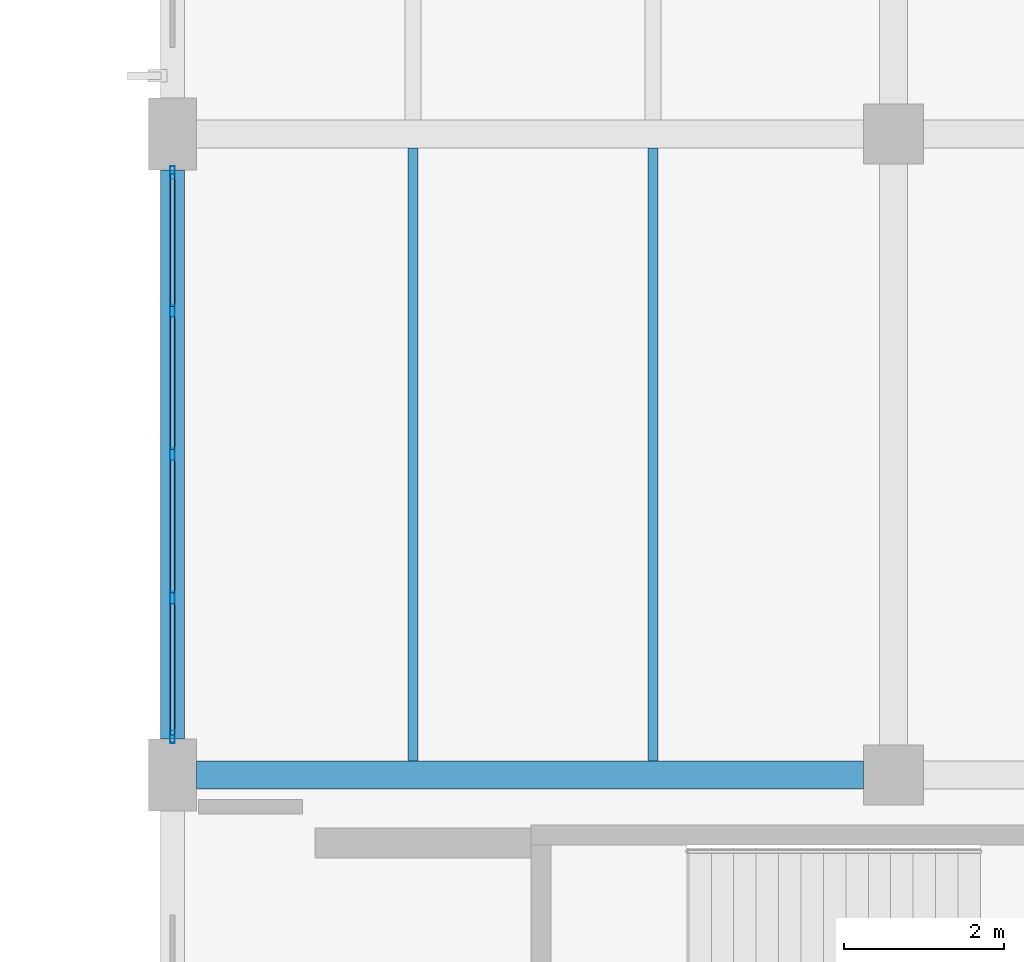
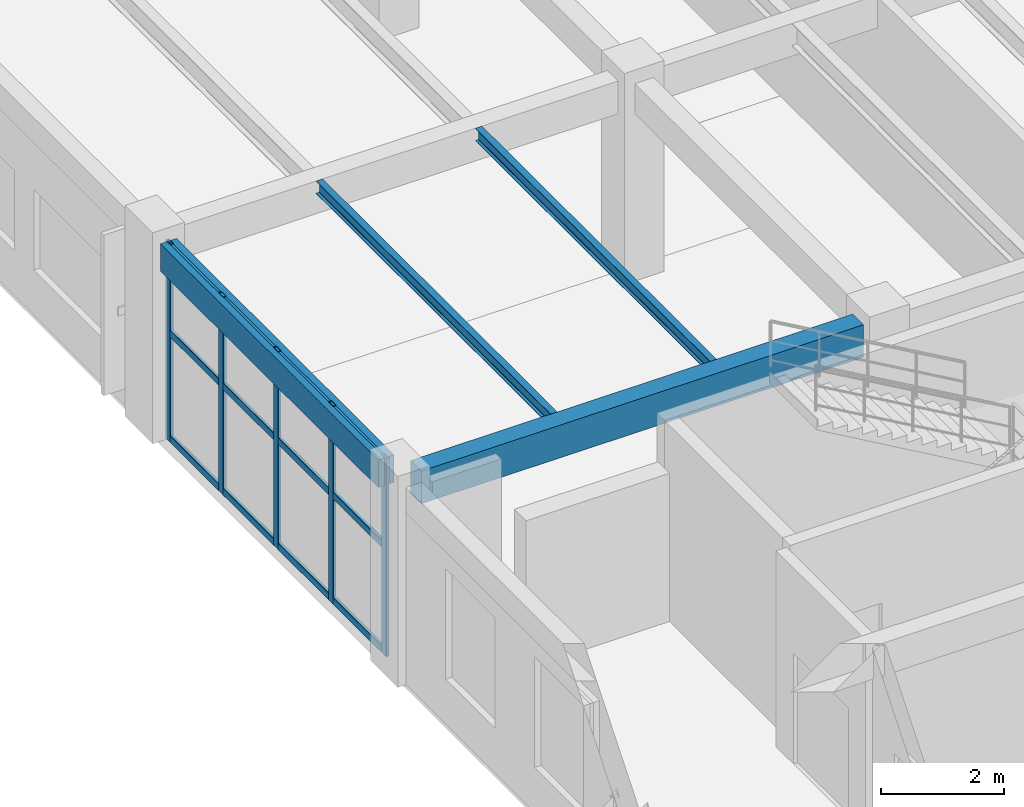
# One storey, part 83 of 128: 17 members, 4 beams, 1 element without a shape of its own.
"""IFC4 building model written with IfcOpenShell, lengths in metres."""

import ifcopenshell
import ifcopenshell.guid

model = None  # the IFC model being written
_history = None  # IfcOwnerHistory: only IFC2X3 demands one
_inside = {}  # id of a spatial element -> (the spatial element, [elements in it])
_under = {}  # id of a project, library or spatial element -> (it, [spatial elements below it])
_declared = {}  # id of a project -> (the project, [libraries it declares])
_typed = {}  # id of a type object -> (the type object, [elements of that type])
_made_of = {}  # id of a material, layer set ... -> (it, [elements and type objects made of it])


def new_model(schema):
    """Start an empty IFC model of exactly this schema.

    Asked for "IFC4X3", IfcOpenShell would pick the latest addendum, in which some entities
    have other attributes; the version numbers below select the first issue.
    IFC2X3 requires an IfcOwnerHistory on every rooted entity: one is made here for all.
    """
    global model, _history
    if schema == "IFC4X3":
        model = ifcopenshell.file(schema_version=(4, 3, 0, 0))
    else:
        model = ifcopenshell.file(schema=schema)
    _inside.clear()
    _under.clear()
    _declared.clear()
    _typed.clear()
    _made_of.clear()
    _history = None
    if model.schema == "IFC2X3":
        org = make("IfcOrganization", Name="unknown")
        user = make(
            "IfcPersonAndOrganization",
            ThePerson=make("IfcPerson", FamilyName="unknown"),
            TheOrganization=org,
        )
        app = make(
            "IfcApplication",
            ApplicationDeveloper=org,
            Version="unknown",
            ApplicationFullName="unknown",
            ApplicationIdentifier="unknown",
        )
        _history = make(
            "IfcOwnerHistory",
            OwningUser=user,
            OwningApplication=app,
            ChangeAction="ADDED",
            CreationDate=0,
        )
    return model


def make(cls, **values):
    """One entity of the class cls with the attributes given. An attribute that is None is left unset."""
    return model.create_entity(
        cls, **{name: value for name, value in values.items() if value is not None}
    )


def rooted(cls, **values):
    """An entity with a GlobalId (a new one), such as an element, a storey or a relation."""
    return make(cls, GlobalId=ifcopenshell.guid.new(), OwnerHistory=_history, **values)


def si_unit(unit_type, name, prefix=None):
    """IfcSIUnit, for example si_unit("LENGTHUNIT", "METRE", prefix="MILLI")."""
    return make("IfcSIUnit", UnitType=unit_type, Prefix=prefix, Name=name)


def derived_unit(unit_type, elements):
    """IfcDerivedUnit: a product of units, each with its exponent."""
    return make(
        "IfcDerivedUnit",
        Elements=[
            make("IfcDerivedUnitElement", Unit=unit, Exponent=power)
            for unit, power in elements
        ],
        UnitType=unit_type,
    )


def assignment(units):
    """IfcUnitAssignment: the units of a project."""
    return None if units is None else make("IfcUnitAssignment", Units=units)


def point(xyz):
    """IfcCartesianPoint."""
    return None if xyz is None else make("IfcCartesianPoint", Coordinates=xyz)


def direction(xyz):
    """IfcDirection."""
    return None if xyz is None else make("IfcDirection", DirectionRatios=xyz)


def frame(location, z_axis=None, x_axis=None):
    """IfcAxis2Placement3D, a coordinate frame: its origin and axes. An axis left out is left unset."""
    return make(
        "IfcAxis2Placement3D",
        Location=point(location),
        Axis=direction(z_axis),
        RefDirection=direction(x_axis),
    )


def frame_2d(location, x_axis=None):
    """IfcAxis2Placement2D, a coordinate frame in the plane: its origin and x axis."""
    return make(
        "IfcAxis2Placement2D", Location=point(location), RefDirection=direction(x_axis)
    )


def origin():
    """The frame at (0, 0, 0) with its axes left unset."""
    return frame((0.0, 0.0, 0.0))


def origin_2d():
    """The frame at (0, 0) in the plane with its x axis left unset."""
    return frame_2d((0.0, 0.0))


def place(relative_to, where):
    """IfcLocalPlacement: puts the frame where relative to a parent placement (None: the world)."""
    return make(
        "IfcLocalPlacement", PlacementRelTo=relative_to, RelativePlacement=where
    )


def context(
    kind, dimensions, precision=None, world=None, true_north=None, identifier=None
):
    """IfcGeometricRepresentationContext, for example the 3D "Model" context."""
    return make(
        "IfcGeometricRepresentationContext",
        ContextIdentifier=identifier,
        ContextType=kind,
        CoordinateSpaceDimension=dimensions,
        Precision=precision,
        WorldCoordinateSystem=world,
        TrueNorth=true_north,
    )


def subcontext(parent, identifier, kind, view, scale=None):
    """IfcGeometricRepresentationSubContext, for example "Body" below "Model"."""
    return make(
        "IfcGeometricRepresentationSubContext",
        ContextIdentifier=identifier,
        ContextType=kind,
        ParentContext=parent,
        TargetScale=scale,
        TargetView=view,
    )


def project(units=None, contexts=None):
    """IfcProject with its units and contexts."""
    return rooted(
        "IfcProject",
        Name="project",
        RepresentationContexts=contexts,
        UnitsInContext=assignment(units),
    )


def spatial(cls, under=None, at=None, **own):
    """A site, building, storey or space (cls), placed at a placement, below another one or the project."""
    s = rooted(cls, ObjectPlacement=at, **own)
    if under is not None:
        _under.setdefault(under.id(), (under, []))[1].append(s)
    return s


def profile(cls, at=None, kind="AREA", **sizes):
    """A parametric profile (cls). Its sizes go by their IFC names, for example OverallWidth=200.0."""
    return make(cls, ProfileType=kind, Position=at, **sizes)


def rectangle(**sizes):
    """IfcRectangleProfileDef."""
    return profile("IfcRectangleProfileDef", **sizes)


def hollow_rectangle(**sizes):
    """IfcRectangleHollowProfileDef."""
    return profile("IfcRectangleHollowProfileDef", **sizes)


def i_section(**sizes):
    """IfcIShapeProfileDef."""
    return profile("IfcIShapeProfileDef", **sizes)


def extrude(swept, where, along, depth):
    """IfcExtrudedAreaSolid: the profile swept, set in the frame where, extruded along a direction by depth."""
    return make(
        "IfcExtrudedAreaSolid",
        SweptArea=swept,
        Position=where,
        ExtrudedDirection=direction(along),
        Depth=depth,
    )


def shape(context_of_items, identifier, shape_type, items):
    """IfcShapeRepresentation: the items that make up one representation, for example the "Body"."""
    return make(
        "IfcShapeRepresentation",
        ContextOfItems=context_of_items,
        RepresentationIdentifier=identifier,
        RepresentationType=shape_type,
        Items=items,
    )


def material(Name=None, Category=None):
    """IfcMaterial."""
    return make("IfcMaterial", Name=Name, Category=Category)


def material_profile(
    of_material, cross_section, Name=None, Category=None, Priority=None
):
    """IfcMaterialProfile: a cross section and its material."""
    return make(
        "IfcMaterialProfile",
        Name=Name,
        Material=of_material,
        Profile=cross_section,
        Priority=Priority,
        Category=Category,
    )


def profile_set(profiles, Name=None, composite=None):
    """IfcMaterialProfileSet."""
    return make(
        "IfcMaterialProfileSet",
        Name=Name,
        MaterialProfiles=profiles,
        CompositeProfile=composite,
    )


def made_of(thing, what):
    """Note that an element or type object is made of a material, layer set ...; save() writes the relation."""
    if what is not None:
        _made_of.setdefault(what.id(), (what, []))[1].append(thing)
    return thing


def type_object(cls, material=None, **own):
    """A type object (cls), such as IfcWallType, which elements share."""
    return made_of(rooted(cls, **own), material)


def element(
    cls,
    number,
    at=None,
    inside=None,
    cuts=None,
    type_object=None,
    material=None,
    context=None,
    identifier="Body",
    shape_type=None,
    held_by="IfcProductDefinitionShape",
    body=None,
    shapes=None,
    **own,
):
    """One element of the class cls, such as IfcWall. Its Tag is "e" and its number.

    at: its placement. inside: the storey or other place that contains it. cuts: it is an
    opening in that element (IfcRelVoidsElement). A single representation is given by context,
    identifier, shape_type and body (its items); several are given by shapes. held_by: the class
    of the entity that holds the representations. save() writes the other relations.
    """
    e = rooted(cls, Tag="e%d" % number, ObjectPlacement=at, **own)
    if body is not None:
        shapes = [shape(context, identifier, shape_type, body)]
    if shapes is not None:
        e.Representation = make(held_by, Representations=shapes)
    if inside is not None:
        _inside.setdefault(inside.id(), (inside, []))[1].append(e)
    if cuts is not None:
        rooted(
            "IfcRelVoidsElement", RelatingBuildingElement=cuts, RelatedOpeningElement=e
        )
    if type_object is not None:
        _typed.setdefault(type_object.id(), (type_object, []))[1].append(e)
    return made_of(e, material)


def aggregate(whole, parts):
    """IfcRelAggregates: a whole, such as a stair, and the parts it consists of."""
    return rooted("IfcRelAggregates", RelatingObject=whole, RelatedObjects=parts)


def save(model, path):
    """Write the relations noted so far, then the file.

    IfcRelAggregates (storeys below a building ...), IfcRelContainedInSpatialStructure (elements
    in a storey), IfcRelDefinesByType, IfcRelAssociatesMaterial and IfcRelDeclares: one each for
    every whole, place, type object, material and project.
    """
    for whole, parts in _under.values():
        aggregate(whole, parts)
    for where, things in _inside.values():
        rooted(
            "IfcRelContainedInSpatialStructure",
            RelatedElements=things,
            RelatingStructure=where,
        )
    for kind, things in _typed.values():
        rooted("IfcRelDefinesByType", RelatedObjects=things, RelatingType=kind)
    for what, things in _made_of.values():
        rooted("IfcRelAssociatesMaterial", RelatedObjects=things, RelatingMaterial=what)
    for by, libraries in _declared.values():
        rooted("IfcRelDeclares", RelatingContext=by, RelatedDefinitions=libraries)
    model.write(path)


model = new_model("IFC4")

# Units and contexts
model_context = context("Model", 3, precision=1e-05, world=origin(), true_north=direction((0.0, 1.0)))
body_context = subcontext(model_context, "Body", "Model", "MODEL_VIEW")
ifc_project = project(units=[si_unit("LENGTHUNIT", "METRE"), si_unit("AREAUNIT", "SQUARE_METRE"), si_unit("VOLUMEUNIT", "CUBIC_METRE"), si_unit("PLANEANGLEUNIT", "RADIAN"), si_unit("MASSUNIT", "GRAM", prefix="KILO"), derived_unit("THERMALTRANSMITTANCEUNIT", [(si_unit("MASSUNIT", "GRAM", prefix="KILO"), 1), (si_unit("TIMEUNIT", "SECOND"), -3), (si_unit("THERMODYNAMICTEMPERATUREUNIT", "KELVIN"), -1)])], contexts=[model_context])

# Site, building, storey
site_placement = place(None, origin())
site = spatial("IfcSite", under=ifc_project, at=site_placement, CompositionType="ELEMENT")
building_placement = place(site_placement, origin())
building = spatial("IfcBuilding", under=site, at=building_placement, Name="Zhenchuan Archway Interchange", CompositionType="ELEMENT")
storey_placement = place(building_placement, frame((0.0, 0.0, 14.39990234375)))
storey = spatial("IfcBuildingStorey", under=building, at=storey_placement, Name="L03", CompositionType="ELEMENT", Elevation=14.39990234375)

# Beam
ifc_material_1 = material(Name="Concrete C40", Category="concrete")
ifc_material_profile_1 = material_profile(ifc_material_1, rectangle(XDim=0.35009765625, YDim=0.64990234375, at=origin_2d()), Name="RC 350x650")
ifc_profile_set_1 = profile_set([ifc_material_profile_1], Name="Concrete C40")
beam_type_1 = type_object("IfcBeamType", Name="BM_RC_350x650", PredefinedType="BEAM", material=ifc_profile_set_1)
beam_1_placement = place(storey_placement, frame((144.300048828125, 64.0, 3.60498046875), z_axis=(1.0, 0.0, 0.0), x_axis=(0.0, 1.0, 0.0)))
element("IfcBeam", 1, at=beam_1_placement, inside=storey, type_object=beam_type_1, Name="Beam J:17-18 (L03)", PredefinedType="BEAM", context=body_context, shape_type="SweptSolid", body=[
    extrude(rectangle(XDim=0.35009765625, YDim=0.64990234375, at=origin_2d()), origin(), (0.0, 0.0, 1.0), 8.324951171875),
])

# Curtain wall, members
ifc_material_2 = material(Name="Anodised Aluminium", Category="aluminium")
curtain_wall_type = type_object("IfcCurtainWallType", Name="CW_UNIT_3", PredefinedType="NOTDEFINED", material=ifc_material_2)
curtain_wall_placement = place(storey_placement, origin())
curtain_wall = element("IfcCurtainWall", 2, at=curtain_wall_placement, inside=storey, type_object=curtain_wall_type, Name="Unitised curtain wall CW:L03:170", PredefinedType="NOTDEFINED")
ifc_material_profile_2 = material_profile(ifc_material_2, hollow_rectangle(XDim=0.06005859375, YDim=0.159912109375, WallThickness=0.00390625, InnerFilletRadius=0.00390625, OuterFilletRadius=0.008056640625, at=origin_2d()), Name="ALU 160x60x4")
ifc_profile_set_2 = profile_set([ifc_material_profile_2], Name="Anodised Aluminium")
member_type_1 = type_object("IfcMemberType", Name="CW_MUL_150", PredefinedType="MULLION", material=ifc_profile_set_2)
member_1_placement = place(storey_placement, frame((144.0, 64.47802734375, 0.0), z_axis=(0.0, 0.0, 1.0), x_axis=(1.0, 0.0, 0.0)))
member_1 = element("IfcMember", 3, at=member_1_placement, type_object=member_type_1, Name="CW:L03:170 mullion 0", PredefinedType="MULLION", context=body_context, shape_type="SweptSolid", body=[
    extrude(hollow_rectangle(XDim=0.06005859375, YDim=0.159912109375, WallThickness=0.00390625, InnerFilletRadius=0.00390625, OuterFilletRadius=0.008056640625, at=origin_2d()), origin(), (0.0, 0.0, 1.0), 3.940185546875),
])
member_2_placement = place(storey_placement, frame((144.0, 66.208984375, 0.0), z_axis=(0.0, 0.0, 1.0), x_axis=(1.0, 0.0, 0.0)))
member_2 = element("IfcMember", 4, at=member_2_placement, type_object=member_type_1, Name="CW:L03:170 mullion 1", PredefinedType="MULLION", context=body_context, shape_type="SweptSolid", body=[
    extrude(hollow_rectangle(XDim=0.06005859375, YDim=0.159912109375, WallThickness=0.00390625, InnerFilletRadius=0.00390625, OuterFilletRadius=0.008056640625, at=origin_2d()), origin(), (0.0, 0.0, 1.0), 3.940185546875),
])
member_3_placement = place(storey_placement, frame((144.0, 68.0, 0.0), z_axis=(0.0, 0.0, 1.0), x_axis=(1.0, 0.0, 0.0)))
member_3 = element("IfcMember", 5, at=member_3_placement, type_object=member_type_1, Name="CW:L03:170 mullion 2", PredefinedType="MULLION", context=body_context, shape_type="SweptSolid", body=[
    extrude(hollow_rectangle(XDim=0.06005859375, YDim=0.159912109375, WallThickness=0.00390625, InnerFilletRadius=0.00390625, OuterFilletRadius=0.008056640625, at=origin_2d()), origin(), (0.0, 0.0, 1.0), 3.940185546875),
])
member_4_placement = place(storey_placement, frame((144.0, 69.791015625, 0.0), z_axis=(0.0, 0.0, 1.0), x_axis=(1.0, 0.0, 0.0)))
member_4 = element("IfcMember", 6, at=member_4_placement, type_object=member_type_1, Name="CW:L03:170 mullion 3", PredefinedType="MULLION", context=body_context, shape_type="SweptSolid", body=[
    extrude(hollow_rectangle(XDim=0.06005859375, YDim=0.159912109375, WallThickness=0.00390625, InnerFilletRadius=0.00390625, OuterFilletRadius=0.008056640625, at=origin_2d()), origin(), (0.0, 0.0, 1.0), 3.940185546875),
])
member_5_placement = place(storey_placement, frame((144.0, 71.52197265625, 0.0), z_axis=(0.0, 0.0, 1.0), x_axis=(1.0, 0.0, 0.0)))
member_5 = element("IfcMember", 7, at=member_5_placement, type_object=member_type_1, Name="CW:L03:170 mullion 4", PredefinedType="MULLION", context=body_context, shape_type="SweptSolid", body=[
    extrude(hollow_rectangle(XDim=0.06005859375, YDim=0.159912109375, WallThickness=0.00390625, InnerFilletRadius=0.00390625, OuterFilletRadius=0.008056640625, at=origin_2d()), origin(), (0.0, 0.0, 1.0), 3.940185546875),
])
ifc_material_profile_3 = material_profile(ifc_material_2, hollow_rectangle(XDim=0.06005859375, YDim=0.139892578125, WallThickness=0.00341796875, InnerFilletRadius=0.00341796875, OuterFilletRadius=0.007080078125, at=origin_2d()), Name="ALU 140x60x3.5")
ifc_profile_set_3 = profile_set([ifc_material_profile_3], Name="Anodised Aluminium")
member_type_2 = type_object("IfcMemberType", Name="CW_TRN_140", PredefinedType="USERDEFINED", material=ifc_profile_set_3)
member_6_placement = place(storey_placement, frame((144.0, 64.498046875, 0.06005859375), z_axis=(0.0, 1.0, 0.0), x_axis=(-1.0, 0.0, 0.0)))
member_6 = element("IfcMember", 8, at=member_6_placement, type_object=member_type_2, Name="CW:L03:170 transom 0-1", ObjectType="TRANSOM", PredefinedType="USERDEFINED", context=body_context, shape_type="SweptSolid", body=[
    extrude(hollow_rectangle(XDim=0.06005859375, YDim=0.139892578125, WallThickness=0.00341796875, InnerFilletRadius=0.00341796875, OuterFilletRadius=0.007080078125, at=origin_2d()), origin(), (0.0, 0.0, 1.0), 1.65087890625),
])
member_7_placement = place(storey_placement, frame((144.0, 64.498046875, 2.156005859375), z_axis=(0.0, 1.0, 0.0), x_axis=(-1.0, 0.0, 0.0)))
member_7 = element("IfcMember", 9, at=member_7_placement, type_object=member_type_2, Name="CW:L03:170 transom 0-2", ObjectType="TRANSOM", PredefinedType="USERDEFINED", context=body_context, shape_type="SweptSolid", body=[
    extrude(hollow_rectangle(XDim=0.06005859375, YDim=0.139892578125, WallThickness=0.00341796875, InnerFilletRadius=0.00341796875, OuterFilletRadius=0.007080078125, at=origin_2d()), origin(), (0.0, 0.0, 1.0), 1.65087890625),
])
member_8_placement = place(storey_placement, frame((144.0, 64.498046875, 3.860107421875), z_axis=(0.0, 1.0, 0.0), x_axis=(-1.0, 0.0, 0.0)))
member_8 = element("IfcMember", 10, at=member_8_placement, type_object=member_type_2, Name="CW:L03:170 transom 0-3", ObjectType="TRANSOM", PredefinedType="USERDEFINED", context=body_context, shape_type="SweptSolid", body=[
    extrude(hollow_rectangle(XDim=0.06005859375, YDim=0.139892578125, WallThickness=0.00341796875, InnerFilletRadius=0.00341796875, OuterFilletRadius=0.007080078125, at=origin_2d()), origin(), (0.0, 0.0, 1.0), 1.65087890625),
])
member_9_placement = place(storey_placement, frame((144.0, 66.26904296875, 0.06005859375), z_axis=(0.0, 1.0, 0.0), x_axis=(-1.0, 0.0, 0.0)))
member_9 = element("IfcMember", 11, at=member_9_placement, type_object=member_type_2, Name="CW:L03:170 transom 1-1", ObjectType="TRANSOM", PredefinedType="USERDEFINED", context=body_context, shape_type="SweptSolid", body=[
    extrude(hollow_rectangle(XDim=0.06005859375, YDim=0.139892578125, WallThickness=0.00341796875, InnerFilletRadius=0.00341796875, OuterFilletRadius=0.007080078125, at=origin_2d()), origin(), (0.0, 0.0, 1.0), 1.6708984375),
])
member_10_placement = place(storey_placement, frame((144.0, 66.26904296875, 2.156005859375), z_axis=(0.0, 1.0, 0.0), x_axis=(-1.0, 0.0, 0.0)))
member_10 = element("IfcMember", 12, at=member_10_placement, type_object=member_type_2, Name="CW:L03:170 transom 1-2", ObjectType="TRANSOM", PredefinedType="USERDEFINED", context=body_context, shape_type="SweptSolid", body=[
    extrude(hollow_rectangle(XDim=0.06005859375, YDim=0.139892578125, WallThickness=0.00341796875, InnerFilletRadius=0.00341796875, OuterFilletRadius=0.007080078125, at=origin_2d()), origin(), (0.0, 0.0, 1.0), 1.6708984375),
])
member_11_placement = place(storey_placement, frame((144.0, 66.26904296875, 3.860107421875), z_axis=(0.0, 1.0, 0.0), x_axis=(-1.0, 0.0, 0.0)))
member_11 = element("IfcMember", 13, at=member_11_placement, type_object=member_type_2, Name="CW:L03:170 transom 1-3", ObjectType="TRANSOM", PredefinedType="USERDEFINED", context=body_context, shape_type="SweptSolid", body=[
    extrude(hollow_rectangle(XDim=0.06005859375, YDim=0.139892578125, WallThickness=0.00341796875, InnerFilletRadius=0.00341796875, OuterFilletRadius=0.007080078125, at=origin_2d()), origin(), (0.0, 0.0, 1.0), 1.6708984375),
])
member_12_placement = place(storey_placement, frame((144.0, 68.06005859375, 0.06005859375), z_axis=(0.0, 1.0, 0.0), x_axis=(-1.0, 0.0, 0.0)))
member_12 = element("IfcMember", 14, at=member_12_placement, type_object=member_type_2, Name="CW:L03:170 transom 2-1", ObjectType="TRANSOM", PredefinedType="USERDEFINED", context=body_context, shape_type="SweptSolid", body=[
    extrude(hollow_rectangle(XDim=0.06005859375, YDim=0.139892578125, WallThickness=0.00341796875, InnerFilletRadius=0.00341796875, OuterFilletRadius=0.007080078125, at=origin_2d()), origin(), (0.0, 0.0, 1.0), 1.6708984375),
])
member_13_placement = place(storey_placement, frame((144.0, 68.06005859375, 2.156005859375), z_axis=(0.0, 1.0, 0.0), x_axis=(-1.0, 0.0, 0.0)))
member_13 = element("IfcMember", 15, at=member_13_placement, type_object=member_type_2, Name="CW:L03:170 transom 2-2", ObjectType="TRANSOM", PredefinedType="USERDEFINED", context=body_context, shape_type="SweptSolid", body=[
    extrude(hollow_rectangle(XDim=0.06005859375, YDim=0.139892578125, WallThickness=0.00341796875, InnerFilletRadius=0.00341796875, OuterFilletRadius=0.007080078125, at=origin_2d()), origin(), (0.0, 0.0, 1.0), 1.6708984375),
])
member_14_placement = place(storey_placement, frame((144.0, 68.06005859375, 3.860107421875), z_axis=(0.0, 1.0, 0.0), x_axis=(-1.0, 0.0, 0.0)))
member_14 = element("IfcMember", 16, at=member_14_placement, type_object=member_type_2, Name="CW:L03:170 transom 2-3", ObjectType="TRANSOM", PredefinedType="USERDEFINED", context=body_context, shape_type="SweptSolid", body=[
    extrude(hollow_rectangle(XDim=0.06005859375, YDim=0.139892578125, WallThickness=0.00341796875, InnerFilletRadius=0.00341796875, OuterFilletRadius=0.007080078125, at=origin_2d()), origin(), (0.0, 0.0, 1.0), 1.6708984375),
])
member_15_placement = place(storey_placement, frame((144.0, 69.85107421875, 0.06005859375), z_axis=(0.0, 1.0, 0.0), x_axis=(-1.0, 0.0, 0.0)))
member_15 = element("IfcMember", 17, at=member_15_placement, type_object=member_type_2, Name="CW:L03:170 transom 3-1", ObjectType="TRANSOM", PredefinedType="USERDEFINED", context=body_context, shape_type="SweptSolid", body=[
    extrude(hollow_rectangle(XDim=0.06005859375, YDim=0.139892578125, WallThickness=0.00341796875, InnerFilletRadius=0.00341796875, OuterFilletRadius=0.007080078125, at=origin_2d()), origin(), (0.0, 0.0, 1.0), 1.65087890625),
])
member_16_placement = place(storey_placement, frame((144.0, 69.85107421875, 2.156005859375), z_axis=(0.0, 1.0, 0.0), x_axis=(-1.0, 0.0, 0.0)))
member_16 = element("IfcMember", 18, at=member_16_placement, type_object=member_type_2, Name="CW:L03:170 transom 3-2", ObjectType="TRANSOM", PredefinedType="USERDEFINED", context=body_context, shape_type="SweptSolid", body=[
    extrude(hollow_rectangle(XDim=0.06005859375, YDim=0.139892578125, WallThickness=0.00341796875, InnerFilletRadius=0.00341796875, OuterFilletRadius=0.007080078125, at=origin_2d()), origin(), (0.0, 0.0, 1.0), 1.65087890625),
])
member_17_placement = place(storey_placement, frame((144.0, 69.85107421875, 3.860107421875), z_axis=(0.0, 1.0, 0.0), x_axis=(-1.0, 0.0, 0.0)))
member_17 = element("IfcMember", 19, at=member_17_placement, type_object=member_type_2, Name="CW:L03:170 transom 3-3", ObjectType="TRANSOM", PredefinedType="USERDEFINED", context=body_context, shape_type="SweptSolid", body=[
    extrude(hollow_rectangle(XDim=0.06005859375, YDim=0.139892578125, WallThickness=0.00341796875, InnerFilletRadius=0.00341796875, OuterFilletRadius=0.007080078125, at=origin_2d()), origin(), (0.0, 0.0, 1.0), 1.65087890625),
])
aggregate(curtain_wall, [member_1, member_2, member_3, member_4, member_5, member_6, member_7, member_8, member_9, member_10, member_11, member_12, member_13, member_14, member_15, member_16, member_17])

# Beams
ifc_material_3 = material(Name="Steel Q355", Category="steel")
ifc_material_profile_4 = material_profile(ifc_material_3, i_section(OverallWidth=0.125, OverallDepth=0.25, WebThickness=0.006103515625, FlangeThickness=0.009033203125, FilletRadius=0.011962890625, at=origin_2d()), Name="HN 250x125")
ifc_profile_set_4 = profile_set([ifc_material_profile_4], Name="Steel Q355")
beam_type_2 = type_object("IfcBeamType", Name="JST_STL_HN250", PredefinedType="JOIST", material=ifc_profile_set_4)
for number, where, z_axis, x_axis, name in (
    (20, (147.0, 64.175048828125, 3.80517578125), (0.0, 1.0, 0.0), (-1.0, 0.0, 0.0), "Secondary joist 17-18/J-K #1 (L03)"),
    (21, (150.0, 64.175048828125, 3.80517578125), (0.0, 1.0, 0.0), (-1.0, 0.0, 0.0), "Secondary joist 17-18/J-K #2 (L03)"),
):
    element("IfcBeam", number, at=place(storey_placement, frame(where, z_axis=z_axis, x_axis=x_axis)), inside=storey, type_object=beam_type_2, Name=name, PredefinedType="JOIST", context=body_context, shape_type="SweptSolid", body=[
        extrude(i_section(OverallWidth=0.125, OverallDepth=0.25, WebThickness=0.006103515625, FlangeThickness=0.009033203125, FilletRadius=0.011962890625, at=origin_2d()), origin(), (0.0, 0.0, 1.0), 7.64990234375),
    ])
ifc_material_profile_5 = material_profile(ifc_material_1, rectangle(XDim=0.300048828125, YDim=0.550048828125, at=origin_2d()), Name="RC 300x550")
ifc_profile_set_5 = profile_set([ifc_material_profile_5], Name="Concrete C40")
beam_type_3 = type_object("IfcBeamType", Name="SP_RC_300x550", PredefinedType="SPANDREL", material=ifc_profile_set_5)
beam_2_placement = place(storey_placement, frame((144.0, 64.449951171875, 3.655029296875), z_axis=(0.0, 1.0, 0.0), x_axis=(-1.0, 0.0, 0.0)))
element("IfcBeam", 22, at=beam_2_placement, inside=storey, type_object=beam_type_3, Name="Beam 17:J-K (L03)", PredefinedType="SPANDREL", context=body_context, shape_type="SweptSolid", body=[
    extrude(rectangle(XDim=0.300048828125, YDim=0.550048828125, at=origin_2d()), origin(), (0.0, 0.0, 1.0), 7.10009765625),
])

save(model, "model.ifc")
